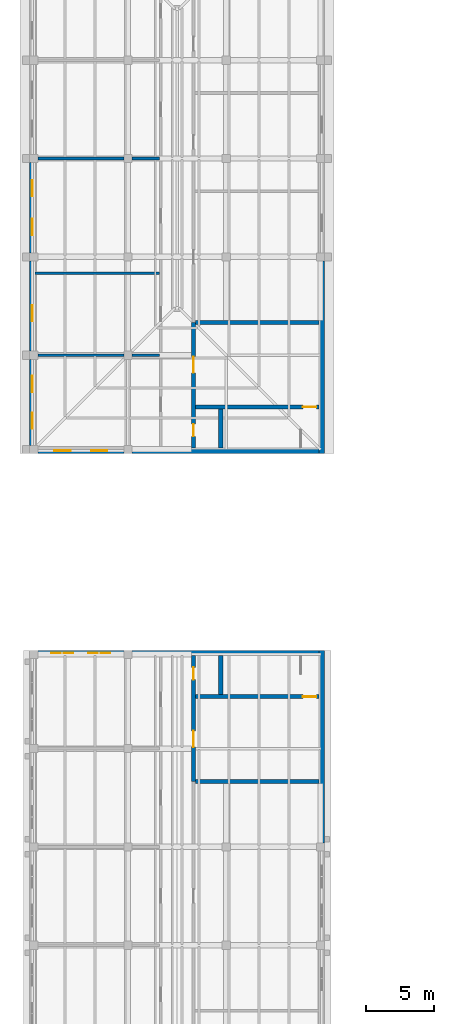
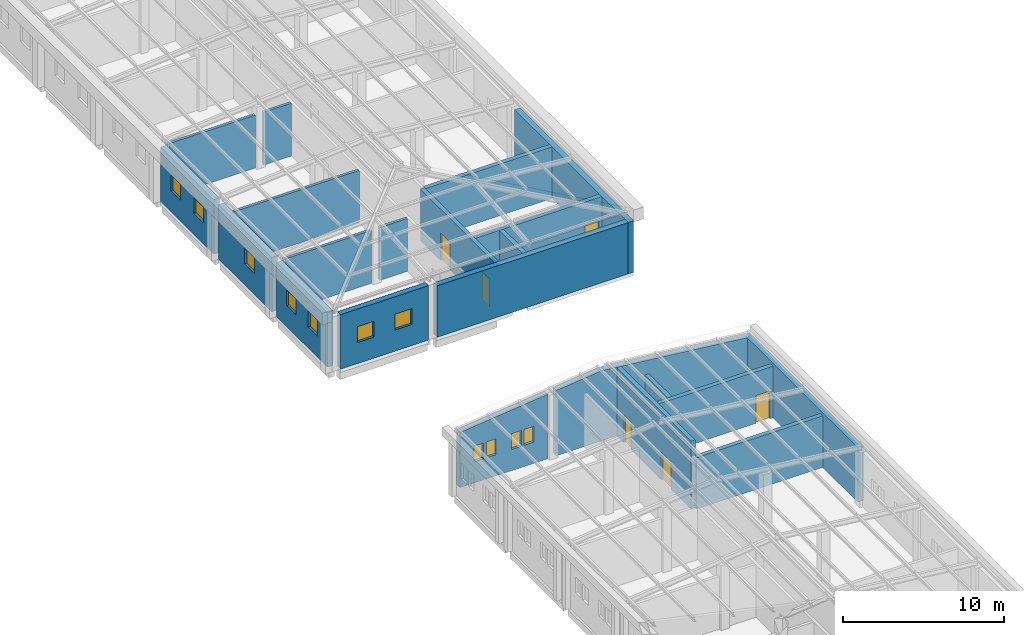
# One storey, part 32 of 48: 22 walls, 11 windows, 6 doors, 17 openings.
"""IFC4 building model written with IfcOpenShell, lengths in metres."""

from ifc_helpers import new_model, si_unit, direction, frame, frame_2d, origin, place, context, subcontext, project, spatial, polyline, rectangle, outline, extrude, material, layer, layer_set, type_object, element, fill, save


model = new_model("IFC4")

# Units and contexts
model_context = context("Model", 3, precision=1e-05, world=origin(), true_north=direction((0.0, 1.0)))
body_context = subcontext(model_context, "Body", "Model", "MODEL_VIEW")
ifc_project = project(units=[si_unit("LENGTHUNIT", "METRE"), si_unit("AREAUNIT", "SQUARE_METRE"), si_unit("VOLUMEUNIT", "CUBIC_METRE"), si_unit("PLANEANGLEUNIT", "RADIAN"), si_unit("MASSUNIT", "GRAM", prefix="KILO")], contexts=[model_context])

# Site, building, storey
site_placement = place(None, origin())
site = spatial("IfcSite", under=ifc_project, at=site_placement, CompositionType="ELEMENT")
building_placement = place(site_placement, origin())
building = spatial("IfcBuilding", under=site, at=building_placement, Name="Alderwick Market Hall", CompositionType="ELEMENT")
storey_placement = place(building_placement, frame((0.0, 0.0, 14.39990234375)))
storey = spatial("IfcBuildingStorey", under=building, at=storey_placement, Name="L02", CompositionType="ELEMENT", Elevation=14.39990234375)

# Wall, openings, windows
ifc_material_1 = material(Name="Face brick", Category="masonry")
ifc_layer_1 = layer(ifc_material_1, 0.39990234375)
ifc_layer_set_1 = layer_set([ifc_layer_1], Name="Face brick")
wall_type_1 = type_object("IfcWallType", Name="B Brick Cavity Wall 400", PredefinedType="SOLIDWALL", material=ifc_layer_set_1)
wall_1_placement = place(storey_placement, frame((22.199951171875, 86.60009765625, 0.0), z_axis=(0.0, 0.0, 1.0), x_axis=(1.0, 0.0, 0.0)))
wall_1 = element("IfcWall", 1, at=wall_1_placement, inside=storey, type_object=wall_type_1, Name="B.N.wall.L02.000", PredefinedType="SOLIDWALL", context=body_context, shape_type="SweptSolid", body=[
    extrude(rectangle(XDim=6.300048828125, YDim=0.39990234375, at=frame_2d((3.14990234375, 0.0))), origin(), (0.0, 0.0, 1.0), 4.12939453125),
])
opening_1_placement = place(wall_1_placement, frame((1.199951171875, 0.0, 1.60009765625)))
opening_1 = element("IfcOpeningElement", 2, at=opening_1_placement, cuts=wall_1, Name="Opening B-W048", PredefinedType="OPENING", context=body_context, shape_type="SweptSolid", body=[
    extrude(rectangle(XDim=1.199951171875, YDim=1.199951171875, at=frame_2d((0.60009765625, 0.60009765625))), frame((0.0, 0.2099609375, 0.0), z_axis=(0.0, -1.0, 0.0), x_axis=(1.0, 0.0, 0.0)), (0.0, 0.0, 1.0), 0.419921875),
])
opening_2_placement = place(wall_1_placement, frame((3.89990234375, 0.0, 1.60009765625)))
opening_2 = element("IfcOpeningElement", 3, at=opening_2_placement, cuts=wall_1, Name="Opening B-W049", PredefinedType="OPENING", context=body_context, shape_type="SweptSolid", body=[
    extrude(rectangle(XDim=1.199951171875, YDim=1.199951171875, at=frame_2d((0.60009765625, 0.60009765625))), frame((0.0, 0.2099609375, 0.0), z_axis=(0.0, -1.0, 0.0), x_axis=(1.0, 0.0, 0.0)), (0.0, 0.0, 1.0), 0.419921875),
])
ifc_material_2 = material(Name="Aluminium frame", Category="aluminium")
window_type_1 = type_object("IfcWindowType", Name="B Attic Window 1200x1200", PartitioningType="SINGLE_PANEL", PredefinedType="WINDOW", material=ifc_material_2)
window_1_placement = place(opening_1_placement, origin())
window_1 = element("IfcWindow", 4, at=window_1_placement, inside=storey, type_object=window_type_1, Name="Window B-W048", OverallHeight=1.199951171875, OverallWidth=1.199951171875, PartitioningType="SINGLE_PANEL", PredefinedType="WINDOW", context=body_context, shape_type="SweptSolid", body=[
    extrude(rectangle(XDim=1.199951171875, YDim=1.199951171875, at=frame_2d((0.60009765625, 0.60009765625))), frame((0.0, 0.030029296875, 0.0), z_axis=(0.0, -1.0, 0.0), x_axis=(1.0, 0.0, 0.0)), (0.0, 0.0, 1.0), 0.06005859375),
])
fill(opening_1, window_1)
window_2_placement = place(opening_2_placement, origin())
window_2 = element("IfcWindow", 5, at=window_2_placement, inside=storey, type_object=window_type_1, Name="Window B-W049", OverallHeight=1.199951171875, OverallWidth=1.199951171875, PartitioningType="SINGLE_PANEL", PredefinedType="WINDOW", context=body_context, shape_type="SweptSolid", body=[
    extrude(rectangle(XDim=1.199951171875, YDim=1.199951171875, at=frame_2d((0.60009765625, 0.60009765625))), frame((0.0, 0.030029296875, 0.0), z_axis=(0.0, -1.0, 0.0), x_axis=(1.0, 0.0, 0.0)), (0.0, 0.0, 1.0), 0.06005859375),
])
fill(opening_2, window_2)

wall_2_placement = place(storey_placement, frame((21.800048828125, 87.0, 0.0), z_axis=(0.0, 0.0, 1.0), x_axis=(0.0, 1.0, 0.0)))
wall_2 = element("IfcWall", 6, at=wall_2_placement, inside=storey, type_object=wall_type_1, Name="B.N.wall.L02.020", PredefinedType="SOLIDWALL", context=body_context, shape_type="SweptSolid", body=[
    extrude(rectangle(XDim=6.300048828125, YDim=0.39990234375, at=frame_2d((3.14990234375, 0.0))), origin(), (0.0, 0.0, 1.0), 4.12939453125),
])
opening_3_placement = place(wall_2_placement, frame((1.199951171875, 0.0, 1.60009765625)))
opening_3 = element("IfcOpeningElement", 7, at=opening_3_placement, cuts=wall_2, Name="Opening B-W052", PredefinedType="OPENING", context=body_context, shape_type="SweptSolid", body=[
    extrude(rectangle(XDim=1.199951171875, YDim=1.199951171875, at=frame_2d((0.60009765625, 0.60009765625))), frame((0.0, 0.2099609375, 0.0), z_axis=(0.0, -1.0, 0.0), x_axis=(1.0, 0.0, 0.0)), (0.0, 0.0, 1.0), 0.419921875),
])
opening_4_placement = place(wall_2_placement, frame((3.89990234375, 0.0, 1.60009765625)))
opening_4 = element("IfcOpeningElement", 8, at=opening_4_placement, cuts=wall_2, Name="Opening B-W053", PredefinedType="OPENING", context=body_context, shape_type="SweptSolid", body=[
    extrude(rectangle(XDim=1.199951171875, YDim=1.199951171875, at=frame_2d((0.60009765625, 0.60009765625))), frame((0.0, 0.2099609375, 0.0), z_axis=(0.0, -1.0, 0.0), x_axis=(1.0, 0.0, 0.0)), (0.0, 0.0, 1.0), 0.419921875),
])
window_3_placement = place(opening_3_placement, origin())
window_3 = element("IfcWindow", 9, at=window_3_placement, inside=storey, type_object=window_type_1, Name="Window B-W052", OverallHeight=1.199951171875, OverallWidth=1.199951171875, PartitioningType="SINGLE_PANEL", PredefinedType="WINDOW", context=body_context, shape_type="SweptSolid", body=[
    extrude(rectangle(XDim=1.199951171875, YDim=1.199951171875, at=frame_2d((0.60009765625, 0.60009765625))), frame((0.0, 0.030029296875, 0.0), z_axis=(0.0, -1.0, 0.0), x_axis=(1.0, 0.0, 0.0)), (0.0, 0.0, 1.0), 0.06005859375),
])
fill(opening_3, window_3)
window_4_placement = place(opening_4_placement, origin())
window_4 = element("IfcWindow", 10, at=window_4_placement, inside=storey, type_object=window_type_1, Name="Window B-W053", OverallHeight=1.199951171875, OverallWidth=1.199951171875, PartitioningType="SINGLE_PANEL", PredefinedType="WINDOW", context=body_context, shape_type="SweptSolid", body=[
    extrude(rectangle(XDim=1.199951171875, YDim=1.199951171875, at=frame_2d((0.60009765625, 0.60009765625))), frame((0.0, 0.030029296875, 0.0), z_axis=(0.0, -1.0, 0.0), x_axis=(1.0, 0.0, 0.0)), (0.0, 0.0, 1.0), 0.06005859375),
])
fill(opening_4, window_4)

# Wall, opening, window
wall_3_placement = place(storey_placement, frame((21.800048828125, 93.89990234375, 0.0), z_axis=(0.0, 0.0, 1.0), x_axis=(0.0, 1.0, 0.0)))
wall_3 = element("IfcWall", 11, at=wall_3_placement, inside=storey, type_object=wall_type_1, Name="B.N.wall.L02.021", PredefinedType="SOLIDWALL", context=body_context, shape_type="SweptSolid", body=[
    extrude(rectangle(XDim=6.60009765625, YDim=0.39990234375, at=frame_2d((3.300048828125, 0.0))), origin(), (0.0, 0.0, 1.0), 4.12939453125),
])
opening_5_placement = place(wall_3_placement, frame((2.175048828125, 0.0, 1.60009765625)))
opening_5 = element("IfcOpeningElement", 12, at=opening_5_placement, cuts=wall_3, Name="Opening B-W054", PredefinedType="OPENING", context=body_context, shape_type="SweptSolid", body=[
    extrude(rectangle(XDim=1.199951171875, YDim=1.199951171875, at=frame_2d((0.60009765625, 0.60009765625))), frame((0.0, 0.2099609375, 0.0), z_axis=(0.0, -1.0, 0.0), x_axis=(1.0, 0.0, 0.0)), (0.0, 0.0, 1.0), 0.419921875),
])
window_5_placement = place(opening_5_placement, origin())
window_5 = element("IfcWindow", 13, at=window_5_placement, inside=storey, type_object=window_type_1, Name="Window B-W054", OverallHeight=1.199951171875, OverallWidth=1.199951171875, PartitioningType="SINGLE_PANEL", PredefinedType="WINDOW", context=body_context, shape_type="SweptSolid", body=[
    extrude(rectangle(XDim=1.199951171875, YDim=1.199951171875, at=frame_2d((0.60009765625, 0.60009765625))), frame((0.0, 0.030029296875, 0.0), z_axis=(0.0, -1.0, 0.0), x_axis=(1.0, 0.0, 0.0)), (0.0, 0.0, 1.0), 0.06005859375),
])
fill(opening_5, window_5)

# Wall, openings, windows
wall_4_placement = place(storey_placement, frame((21.800048828125, 101.10009765625, 0.0), z_axis=(0.0, 0.0, 1.0), x_axis=(0.0, 1.0, 0.0)))
wall_4 = element("IfcWall", 14, at=wall_4_placement, inside=storey, type_object=wall_type_1, Name="B.N.wall.L02.022", PredefinedType="SOLIDWALL", context=body_context, shape_type="SweptSolid", body=[
    extrude(rectangle(XDim=6.599853515625, YDim=0.39990234375, at=frame_2d((3.2998046875, 0.0))), origin(), (0.0, 0.0, 1.0), 4.12939453125),
])
opening_6_placement = place(wall_4_placement, frame((1.27490234375, 0.0, 1.60009765625)))
opening_6 = element("IfcOpeningElement", 15, at=opening_6_placement, cuts=wall_4, Name="Opening B-W055", PredefinedType="OPENING", context=body_context, shape_type="SweptSolid", body=[
    extrude(rectangle(XDim=1.199951171875, YDim=1.199951171875, at=frame_2d((0.60009765625, 0.60009765625))), frame((0.0, 0.2099609375, 0.0), z_axis=(0.0, -1.0, 0.0), x_axis=(1.0, 0.0, 0.0)), (0.0, 0.0, 1.0), 0.419921875),
])
opening_7_placement = place(wall_4_placement, frame((4.125, 0.0, 1.60009765625)))
opening_7 = element("IfcOpeningElement", 16, at=opening_7_placement, cuts=wall_4, Name="Opening B-W056", PredefinedType="OPENING", context=body_context, shape_type="SweptSolid", body=[
    extrude(rectangle(XDim=1.199951171875, YDim=1.199951171875, at=frame_2d((0.60009765625, 0.60009765625))), frame((0.0, 0.2099609375, 0.0), z_axis=(0.0, -1.0, 0.0), x_axis=(1.0, 0.0, 0.0)), (0.0, 0.0, 1.0), 0.419921875),
])
window_6_placement = place(opening_6_placement, origin())
window_6 = element("IfcWindow", 17, at=window_6_placement, inside=storey, type_object=window_type_1, Name="Window B-W055", OverallHeight=1.199951171875, OverallWidth=1.199951171875, PartitioningType="SINGLE_PANEL", PredefinedType="WINDOW", context=body_context, shape_type="SweptSolid", body=[
    extrude(rectangle(XDim=1.199951171875, YDim=1.199951171875, at=frame_2d((0.60009765625, 0.60009765625))), frame((0.0, 0.030029296875, 0.0), z_axis=(0.0, -1.0, 0.0), x_axis=(1.0, 0.0, 0.0)), (0.0, 0.0, 1.0), 0.06005859375),
])
fill(opening_6, window_6)
window_7_placement = place(opening_7_placement, origin())
window_7 = element("IfcWindow", 18, at=window_7_placement, inside=storey, type_object=window_type_1, Name="Window B-W056", OverallHeight=1.199951171875, OverallWidth=1.199951171875, PartitioningType="SINGLE_PANEL", PredefinedType="WINDOW", context=body_context, shape_type="SweptSolid", body=[
    extrude(rectangle(XDim=1.199951171875, YDim=1.199951171875, at=frame_2d((0.60009765625, 0.60009765625))), frame((0.0, 0.030029296875, 0.0), z_axis=(0.0, -1.0, 0.0), x_axis=(1.0, 0.0, 0.0)), (0.0, 0.0, 1.0), 0.06005859375),
])
fill(opening_7, window_7)

wall_5_placement = place(storey_placement, frame((22.199951171875, 71.800048828125, 0.0), z_axis=(0.0, 0.0, 1.0), x_axis=(1.0, 0.0, 0.0)))
wall_5 = element("IfcWall", 19, at=wall_5_placement, inside=storey, type_object=wall_type_1, Name="B.S.wall.L02.018", PredefinedType="SOLIDWALL", context=body_context, shape_type="SweptSolid", body=[
    extrude(outline(polyline([(0.0, 0.0), (6.300048828125, 0.0), (6.300048828125, 4.877685546875), (0.0, 4.177490234375), (0.0, 0.0)])), frame((0.0, 0.199951171875, 0.0), z_axis=(0.0, -1.0, 0.0), x_axis=(1.0, 0.0, 0.0)), (0.0, 0.0, 1.0), 0.39990234375),
])
opening_8_placement = place(wall_5_placement, frame((1.0, 0.0, 1.60009765625)))
opening_8 = element("IfcOpeningElement", 20, at=opening_8_placement, cuts=wall_5, Name="Opening B-W152", PredefinedType="OPENING", context=body_context, shape_type="SweptSolid", body=[
    extrude(rectangle(XDim=0.699951171875, YDim=1.199951171875, at=frame_2d((0.35009765625, 0.60009765625))), frame((0.0, 0.2099609375, 0.0), z_axis=(0.0, -1.0, 0.0), x_axis=(1.0, 0.0, 0.0)), (0.0, 0.0, 1.0), 0.419921875),
])
opening_9_placement = place(wall_5_placement, frame((1.89990234375, 0.0, 1.60009765625)))
opening_9 = element("IfcOpeningElement", 21, at=opening_9_placement, cuts=wall_5, Name="Opening B-W153", PredefinedType="OPENING", context=body_context, shape_type="SweptSolid", body=[
    extrude(rectangle(XDim=0.699951171875, YDim=1.199951171875, at=frame_2d((0.35009765625, 0.60009765625))), frame((0.0, 0.2099609375, 0.0), z_axis=(0.0, -1.0, 0.0), x_axis=(1.0, 0.0, 0.0)), (0.0, 0.0, 1.0), 0.419921875),
])
opening_10_placement = place(wall_5_placement, frame((3.699951171875, 0.0, 1.60009765625)))
opening_10 = element("IfcOpeningElement", 22, at=opening_10_placement, cuts=wall_5, Name="Opening B-W154", PredefinedType="OPENING", context=body_context, shape_type="SweptSolid", body=[
    extrude(rectangle(XDim=0.699951171875, YDim=1.199951171875, at=frame_2d((0.35009765625, 0.60009765625))), frame((0.0, 0.2099609375, 0.0), z_axis=(0.0, -1.0, 0.0), x_axis=(1.0, 0.0, 0.0)), (0.0, 0.0, 1.0), 0.419921875),
])
opening_11_placement = place(wall_5_placement, frame((4.60009765625, 0.0, 1.60009765625)))
opening_11 = element("IfcOpeningElement", 23, at=opening_11_placement, cuts=wall_5, Name="Opening B-W155", PredefinedType="OPENING", context=body_context, shape_type="SweptSolid", body=[
    extrude(rectangle(XDim=0.699951171875, YDim=1.199951171875, at=frame_2d((0.35009765625, 0.60009765625))), frame((0.0, 0.2099609375, 0.0), z_axis=(0.0, -1.0, 0.0), x_axis=(1.0, 0.0, 0.0)), (0.0, 0.0, 1.0), 0.419921875),
])
window_type_2 = type_object("IfcWindowType", Name="B Attic Window 700x1200", PartitioningType="SINGLE_PANEL", PredefinedType="WINDOW", material=ifc_material_2)
window_8_placement = place(opening_8_placement, origin())
window_8 = element("IfcWindow", 24, at=window_8_placement, inside=storey, type_object=window_type_2, Name="Window B-W152", OverallHeight=1.199951171875, OverallWidth=0.699951171875, PartitioningType="SINGLE_PANEL", PredefinedType="WINDOW", context=body_context, shape_type="SweptSolid", body=[
    extrude(rectangle(XDim=0.699951171875, YDim=1.199951171875, at=frame_2d((0.35009765625, 0.60009765625))), frame((0.0, 0.030029296875, 0.0), z_axis=(0.0, -1.0, 0.0), x_axis=(1.0, 0.0, 0.0)), (0.0, 0.0, 1.0), 0.06005859375),
])
fill(opening_8, window_8)
window_9_placement = place(opening_9_placement, origin())
window_9 = element("IfcWindow", 25, at=window_9_placement, inside=storey, type_object=window_type_2, Name="Window B-W153", OverallHeight=1.199951171875, OverallWidth=0.699951171875, PartitioningType="SINGLE_PANEL", PredefinedType="WINDOW", context=body_context, shape_type="SweptSolid", body=[
    extrude(rectangle(XDim=0.699951171875, YDim=1.199951171875, at=frame_2d((0.35009765625, 0.60009765625))), frame((0.0, 0.030029296875, 0.0), z_axis=(0.0, -1.0, 0.0), x_axis=(1.0, 0.0, 0.0)), (0.0, 0.0, 1.0), 0.06005859375),
])
fill(opening_9, window_9)
window_10_placement = place(opening_10_placement, origin())
window_10 = element("IfcWindow", 26, at=window_10_placement, inside=storey, type_object=window_type_2, Name="Window B-W154", OverallHeight=1.199951171875, OverallWidth=0.699951171875, PartitioningType="SINGLE_PANEL", PredefinedType="WINDOW", context=body_context, shape_type="SweptSolid", body=[
    extrude(rectangle(XDim=0.699951171875, YDim=1.199951171875, at=frame_2d((0.35009765625, 0.60009765625))), frame((0.0, 0.030029296875, 0.0), z_axis=(0.0, -1.0, 0.0), x_axis=(1.0, 0.0, 0.0)), (0.0, 0.0, 1.0), 0.06005859375),
])
fill(opening_10, window_10)
window_11_placement = place(opening_11_placement, origin())
window_11 = element("IfcWindow", 27, at=window_11_placement, inside=storey, type_object=window_type_2, Name="Window B-W155", OverallHeight=1.199951171875, OverallWidth=0.699951171875, PartitioningType="SINGLE_PANEL", PredefinedType="WINDOW", context=body_context, shape_type="SweptSolid", body=[
    extrude(rectangle(XDim=0.699951171875, YDim=1.199951171875, at=frame_2d((0.35009765625, 0.60009765625))), frame((0.0, 0.030029296875, 0.0), z_axis=(0.0, -1.0, 0.0), x_axis=(1.0, 0.0, 0.0)), (0.0, 0.0, 1.0), 0.06005859375),
])
fill(opening_11, window_11)

# Walls
ifc_material_3 = material(Name="Concrete masonry 3000 psi", Category="masonry")
ifc_layer_2 = layer(ifc_material_3, 0.199951171875)
ifc_layer_set_2 = layer_set([ifc_layer_2], Name="Concrete masonry 3000 psi")
wall_type_2 = type_object("IfcWallType", Name="B Masonry Partition 200", PredefinedType="PARTITIONING", material=ifc_layer_set_2)
wall_6_placement = place(storey_placement, frame((22.199951171875, 93.60009765625, 0.0), z_axis=(0.0, 0.0, 1.0), x_axis=(1.0, 0.0, 0.0)))
element("IfcWall", 28, at=wall_6_placement, inside=storey, type_object=wall_type_2, Name="B.N.wall.L02.003", PredefinedType="PARTITIONING", context=body_context, shape_type="SweptSolid", body=[
    extrude(rectangle(XDim=6.300048828125, YDim=0.199951171875, at=frame_2d((3.14990234375, 0.0))), origin(), (0.0, 0.0, 1.0), 4.0),
])
wall_7_placement = place(storey_placement, frame((29.10009765625, 93.60009765625, 0.0), z_axis=(0.0, 0.0, 1.0), x_axis=(1.0, 0.0, 0.0)))
element("IfcWall", 29, at=wall_7_placement, inside=storey, type_object=wall_type_2, Name="B.N.wall.L02.004", PredefinedType="PARTITIONING", context=body_context, shape_type="SweptSolid", body=[
    extrude(rectangle(XDim=2.0, YDim=0.199951171875, at=frame_2d((1.0, 0.0))), origin(), (0.0, 0.0, 1.0), 4.0),
])
wall_8_placement = place(storey_placement, frame((22.0, 99.60009765625, 0.0), z_axis=(0.0, 0.0, 1.0), x_axis=(1.0, 0.0, 0.0)))
element("IfcWall", 30, at=wall_8_placement, inside=storey, type_object=wall_type_2, Name="B.N.wall.L02.006", PredefinedType="PARTITIONING", context=body_context, shape_type="SweptSolid", body=[
    extrude(rectangle(XDim=9.10009765625, YDim=0.199951171875, at=frame_2d((4.550048828125, 0.0))), origin(), (0.0, 0.0, 1.0), 4.0),
])
wall_9_placement = place(storey_placement, frame((22.199951171875, 108.0, 0.0), z_axis=(0.0, 0.0, 1.0), x_axis=(1.0, 0.0, 0.0)))
element("IfcWall", 31, at=wall_9_placement, inside=storey, type_object=wall_type_2, Name="B.N.wall.L02.008", PredefinedType="PARTITIONING", context=body_context, shape_type="SweptSolid", body=[
    extrude(rectangle(XDim=6.300048828125, YDim=0.199951171875, at=frame_2d((3.14990234375, 0.0))), origin(), (0.0, 0.0, 1.0), 4.0),
])
wall_10_placement = place(storey_placement, frame((29.10009765625, 108.0, 0.0), z_axis=(0.0, 0.0, 1.0), x_axis=(1.0, 0.0, 0.0)))
element("IfcWall", 32, at=wall_10_placement, inside=storey, type_object=wall_type_2, Name="B.N.wall.L02.009", PredefinedType="PARTITIONING", context=body_context, shape_type="SweptSolid", body=[
    extrude(rectangle(XDim=2.0, YDim=0.199951171875, at=frame_2d((1.0, 0.0))), origin(), (0.0, 0.0, 1.0), 4.0),
])
ifc_material_4 = material(Name="Concrete 5000 psi (f'c 35 MPa)", Category="concrete")
ifc_layer_3 = layer(ifc_material_4, 0.39990234375)
ifc_layer_set_3 = layer_set([ifc_layer_3], Name="Concrete 5000 psi (f'c 35 MPa)")
wall_type_3 = type_object("IfcWallType", Name="B RC Core Facade Wall 400", PredefinedType="SHEAR", material=ifc_layer_set_3)
wall_11_placement = place(storey_placement, frame((29.10009765625, 86.60009765625, 0.0), z_axis=(0.0, 0.0, 1.0), x_axis=(1.0, 0.0, 0.0)))
element("IfcWall", 33, at=wall_11_placement, inside=storey, type_object=wall_type_3, Name="B.N.wall.L02.001", PredefinedType="SHEAR", context=body_context, shape_type="SweptSolid", body=[
    extrude(rectangle(XDim=13.699951171875, YDim=0.39990234375, at=frame_2d((6.85009765625, 0.0))), origin(), (0.0, 0.0, 1.0), 3.900146484375),
])
wall_12_placement = place(storey_placement, frame((43.0, 86.39990234375, 0.0), z_axis=(0.0, 0.0, 1.0), x_axis=(0.0, 1.0, 0.0)))
element("IfcWall", 34, at=wall_12_placement, inside=storey, type_object=wall_type_3, Name="B.N.wall.L02.033", PredefinedType="SHEAR", context=body_context, shape_type="SweptSolid", body=[
    extrude(rectangle(XDim=14.10009765625, YDim=0.39990234375, at=frame_2d((7.050048828125, 0.0))), origin(), (0.0, 0.0, 1.0), 3.900146484375),
])
wall_13_placement = place(storey_placement, frame((29.10009765625, 71.800048828125, 0.0), z_axis=(0.0, 0.0, 1.0), x_axis=(1.0, 0.0, 0.0)))
element("IfcWall", 35, at=wall_13_placement, inside=storey, type_object=wall_type_3, Name="B.S.wall.L02.019", PredefinedType="SHEAR", context=body_context, shape_type="SweptSolid", body=[
    extrude(outline(polyline([(0.0, 0.0), (13.699951171875, 0.0), (13.699951171875, 4.1552734375), (3.300048828125, 5.310791015625), (0.0, 4.944091796875), (0.0, 0.0)])), frame((0.0, 0.199951171875, 0.0), z_axis=(0.0, -1.0, 0.0), x_axis=(1.0, 0.0, 0.0)), (0.0, 0.0, 1.0), 0.39990234375),
])
wall_14_placement = place(storey_placement, frame((43.0, 57.89990234375, 0.0), z_axis=(0.0, 0.0, 1.0), x_axis=(0.0, 1.0, 0.0)))
element("IfcWall", 36, at=wall_14_placement, inside=storey, type_object=wall_type_3, Name="B.S.wall.L02.036", PredefinedType="SHEAR", context=body_context, shape_type="SweptSolid", body=[
    extrude(rectangle(XDim=14.10009765625, YDim=0.39990234375, at=frame_2d((7.050048828125, 0.0))), origin(), (0.0, 0.0, 1.0), 4.133056640625),
])

# Wall, opening, door
ifc_layer_4 = layer(ifc_material_4, 0.300048828125)
ifc_layer_set_4 = layer_set([ifc_layer_4], Name="Concrete 5000 psi (f'c 35 MPa)")
wall_type_4 = type_object("IfcWallType", Name="B RC Core Wall 300", PredefinedType="SHEAR", material=ifc_layer_set_4)
wall_15_placement = place(storey_placement, frame((33.75, 89.800048828125, 0.0), z_axis=(0.0, 0.0, 1.0), x_axis=(1.0, 0.0, 0.0)))
wall_15 = element("IfcWall", 37, at=wall_15_placement, inside=storey, type_object=wall_type_4, Name="B.N.wall.L02.002", PredefinedType="SHEAR", context=body_context, shape_type="SweptSolid", body=[
    extrude(rectangle(XDim=9.050048828125, YDim=0.300048828125, at=frame_2d((4.52490234375, 0.0))), origin(), (0.0, 0.0, 1.0), 3.900146484375),
])
opening_12_placement = place(wall_15_placement, frame((7.85009765625, 0.0, 0.0)))
opening_12 = element("IfcOpeningElement", 38, at=opening_12_placement, cuts=wall_15, Name="Opening B-D079", PredefinedType="OPENING", context=body_context, shape_type="SweptSolid", body=[
    extrude(rectangle(XDim=1.0, YDim=2.10009765625, at=frame_2d((0.5, 1.050048828125))), frame((0.0, 0.159912109375, 0.0), z_axis=(0.0, -1.0, 0.0), x_axis=(1.0, 0.0, 0.0)), (0.0, 0.0, 1.0), 0.320068359375),
])
ifc_material_5 = material(Name="Hollow metal fire door and frame")
door_type_1 = type_object("IfcDoorType", Name="B Fire Door 1000x2100", OperationType="SINGLE_SWING_LEFT", PredefinedType="DOOR", material=ifc_material_5)
door_1_placement = place(opening_12_placement, origin())
door_1 = element("IfcDoor", 39, at=door_1_placement, inside=storey, type_object=door_type_1, Name="Stair N-2 lobby door", OperationType="SINGLE_SWING_LEFT", OverallHeight=2.10009765625, OverallWidth=1.0, PredefinedType="DOOR", context=body_context, shape_type="SweptSolid", body=[
    extrude(rectangle(XDim=1.0, YDim=2.10009765625, at=frame_2d((0.5, 1.050048828125))), frame((0.0, 0.02490234375, 0.0), z_axis=(0.0, -1.0, 0.0), x_axis=(1.0, 0.0, 0.0)), (0.0, 0.0, 1.0), 0.050048828125),
])
fill(opening_12, door_1)

# Wall
wall_16_placement = place(storey_placement, frame((33.75, 96.0, 0.0), z_axis=(0.0, 0.0, 1.0), x_axis=(1.0, 0.0, 0.0)))
element("IfcWall", 40, at=wall_16_placement, inside=storey, type_object=wall_type_4, Name="B.N.wall.L02.005", PredefinedType="SHEAR", context=body_context, shape_type="SweptSolid", body=[
    extrude(rectangle(XDim=9.050048828125, YDim=0.300048828125, at=frame_2d((4.52490234375, 0.0))), origin(), (0.0, 0.0, 1.0), 3.900146484375),
])

# Wall, openings, doors
wall_17_placement = place(storey_placement, frame((33.60009765625, 86.800048828125, 0.0), z_axis=(0.0, 0.0, 1.0), x_axis=(0.0, 1.0, 0.0)))
wall_17 = element("IfcWall", 41, at=wall_17_placement, inside=storey, type_object=wall_type_4, Name="B.N.wall.L02.027", PredefinedType="SHEAR", context=body_context, shape_type="SweptSolid", body=[
    extrude(rectangle(XDim=9.199951171875, YDim=0.300048828125, at=frame_2d((4.60009765625, 0.0))), origin(), (0.0, 0.0, 1.0), 3.900146484375),
])
opening_13_placement = place(wall_17_placement, frame((5.5, 0.0, 0.0)))
opening_13 = element("IfcOpeningElement", 42, at=opening_13_placement, cuts=wall_17, Name="Opening B-D080", PredefinedType="OPENING", context=body_context, shape_type="SweptSolid", body=[
    extrude(rectangle(XDim=1.199951171875, YDim=2.10009765625, at=frame_2d((0.60009765625, 1.050048828125))), frame((0.0, 0.159912109375, 0.0), z_axis=(0.0, -1.0, 0.0), x_axis=(1.0, 0.0, 0.0)), (0.0, 0.0, 1.0), 0.320068359375),
])
opening_14_placement = place(wall_17_placement, frame((0.85009765625, 0.0, 0.0)))
opening_14 = element("IfcOpeningElement", 43, at=opening_14_placement, cuts=wall_17, Name="Opening B-D081", PredefinedType="OPENING", context=body_context, shape_type="SweptSolid", body=[
    extrude(rectangle(XDim=0.89990234375, YDim=2.10009765625, at=frame_2d((0.449951171875, 1.050048828125))), frame((0.0, 0.159912109375, 0.0), z_axis=(0.0, -1.0, 0.0), x_axis=(1.0, 0.0, 0.0)), (0.0, 0.0, 1.0), 0.320068359375),
])
door_type_2 = type_object("IfcDoorType", Name="B Fire Door 1200x2100", OperationType="SINGLE_SWING_LEFT", PredefinedType="DOOR", material=ifc_material_5)
door_2_placement = place(opening_13_placement, origin())
door_2 = element("IfcDoor", 44, at=door_2_placement, inside=storey, type_object=door_type_2, Name="Lobby N-2 corridor door", OperationType="SINGLE_SWING_RIGHT", OverallHeight=2.10009765625, OverallWidth=1.199951171875, PredefinedType="DOOR", context=body_context, shape_type="SweptSolid", body=[
    extrude(rectangle(XDim=1.199951171875, YDim=2.10009765625, at=frame_2d((0.60009765625, 1.050048828125))), frame((0.0, 0.02490234375, 0.0), z_axis=(0.0, -1.0, 0.0), x_axis=(1.0, 0.0, 0.0)), (0.0, 0.0, 1.0), 0.050048828125),
])
fill(opening_13, door_2)
door_type_3 = type_object("IfcDoorType", Name="B Fire Door 900x2100", OperationType="SINGLE_SWING_LEFT", PredefinedType="DOOR", material=ifc_material_5)
door_3_placement = place(opening_14_placement, origin())
door_3 = element("IfcDoor", 45, at=door_3_placement, inside=storey, type_object=door_type_3, Name="Riser N-2 access door", OperationType="SINGLE_SWING_LEFT", OverallHeight=2.10009765625, OverallWidth=0.89990234375, PredefinedType="DOOR", context=body_context, shape_type="SweptSolid", body=[
    extrude(rectangle(XDim=0.89990234375, YDim=2.10009765625, at=frame_2d((0.449951171875, 1.050048828125))), frame((0.0, 0.02490234375, 0.0), z_axis=(0.0, -1.0, 0.0), x_axis=(1.0, 0.0, 0.0)), (0.0, 0.0, 1.0), 0.050048828125),
])
fill(opening_14, door_3)

# Walls
wall_18_placement = place(storey_placement, frame((35.60009765625, 86.800048828125, 0.0), z_axis=(0.0, 0.0, 1.0), x_axis=(0.0, 1.0, 0.0)))
element("IfcWall", 46, at=wall_18_placement, inside=storey, type_object=wall_type_4, Name="B.N.wall.L02.030", PredefinedType="SHEAR", context=body_context, shape_type="SweptSolid", body=[
    extrude(rectangle(XDim=2.849853515625, YDim=0.300048828125, at=frame_2d((1.4248046875, 0.0))), origin(), (0.0, 0.0, 1.0), 3.900146484375),
])
wall_19_placement = place(storey_placement, frame((33.75, 62.39990234375, 0.0), z_axis=(0.0, 0.0, 1.0), x_axis=(1.0, 0.0, 0.0)))
element("IfcWall", 47, at=wall_19_placement, inside=storey, type_object=wall_type_4, Name="B.S.wall.L02.014", PredefinedType="SHEAR", context=body_context, shape_type="SweptSolid", body=[
    extrude(rectangle(XDim=9.050048828125, YDim=0.300048828125, at=frame_2d((4.52490234375, 0.0))), origin(), (0.0, 0.0, 1.0), 3.900146484375),
])

# Wall, opening, door
wall_20_placement = place(storey_placement, frame((33.75, 68.60009765625, 0.0), z_axis=(0.0, 0.0, 1.0), x_axis=(1.0, 0.0, 0.0)))
wall_20 = element("IfcWall", 48, at=wall_20_placement, inside=storey, type_object=wall_type_4, Name="B.S.wall.L02.017", PredefinedType="SHEAR", context=body_context, shape_type="SweptSolid", body=[
    extrude(rectangle(XDim=9.050048828125, YDim=0.300048828125, at=frame_2d((4.52490234375, 0.0))), origin(), (0.0, 0.0, 1.0), 3.900146484375),
])
opening_15_placement = place(wall_20_placement, frame((7.85009765625, 0.0, 0.0)))
opening_15 = element("IfcOpeningElement", 49, at=opening_15_placement, cuts=wall_20, Name="Opening B-D141", PredefinedType="OPENING", context=body_context, shape_type="SweptSolid", body=[
    extrude(rectangle(XDim=1.0, YDim=2.10009765625, at=frame_2d((0.5, 1.050048828125))), frame((0.0, 0.159912109375, 0.0), z_axis=(0.0, -1.0, 0.0), x_axis=(1.0, 0.0, 0.0)), (0.0, 0.0, 1.0), 0.320068359375),
])
door_4_placement = place(opening_15_placement, origin())
door_4 = element("IfcDoor", 50, at=door_4_placement, inside=storey, type_object=door_type_1, Name="Stair S-2 lobby door", OperationType="SINGLE_SWING_LEFT", OverallHeight=2.10009765625, OverallWidth=1.0, PredefinedType="DOOR", context=body_context, shape_type="SweptSolid", body=[
    extrude(rectangle(XDim=1.0, YDim=2.10009765625, at=frame_2d((0.5, 1.050048828125))), frame((0.0, 0.02490234375, 0.0), z_axis=(0.0, -1.0, 0.0), x_axis=(1.0, 0.0, 0.0)), (0.0, 0.0, 1.0), 0.050048828125),
])
fill(opening_15, door_4)

# Wall, openings, doors
wall_21_placement = place(storey_placement, frame((33.60009765625, 62.39990234375, 0.0), z_axis=(0.0, 0.0, 1.0), x_axis=(0.0, 1.0, 0.0)))
wall_21 = element("IfcWall", 51, at=wall_21_placement, inside=storey, type_object=wall_type_4, Name="B.S.wall.L02.029", PredefinedType="SHEAR", context=body_context, shape_type="SweptSolid", body=[
    extrude(rectangle(XDim=9.2001953125, YDim=0.300048828125, at=frame_2d((4.60009765625, 0.0))), origin(), (0.0, 0.0, 1.0), 5.160888671875),
])
opening_16_placement = place(wall_21_placement, frame((2.5, 0.0, 0.0)))
opening_16 = element("IfcOpeningElement", 52, at=opening_16_placement, cuts=wall_21, Name="Opening B-D142", PredefinedType="OPENING", context=body_context, shape_type="SweptSolid", body=[
    extrude(rectangle(XDim=1.199951171875, YDim=2.10009765625, at=frame_2d((0.60009765625, 1.050048828125))), frame((0.0, 0.159912109375, 0.0), z_axis=(0.0, -1.0, 0.0), x_axis=(1.0, 0.0, 0.0)), (0.0, 0.0, 1.0), 0.320068359375),
])
opening_17_placement = place(wall_21_placement, frame((7.449951171875, 0.0, 0.0)))
opening_17 = element("IfcOpeningElement", 53, at=opening_17_placement, cuts=wall_21, Name="Opening B-D143", PredefinedType="OPENING", context=body_context, shape_type="SweptSolid", body=[
    extrude(rectangle(XDim=0.89990234375, YDim=2.10009765625, at=frame_2d((0.449951171875, 1.050048828125))), frame((0.0, 0.159912109375, 0.0), z_axis=(0.0, -1.0, 0.0), x_axis=(1.0, 0.0, 0.0)), (0.0, 0.0, 1.0), 0.320068359375),
])
door_5_placement = place(opening_16_placement, origin())
door_5 = element("IfcDoor", 54, at=door_5_placement, inside=storey, type_object=door_type_2, Name="Lobby S-2 corridor door", OperationType="SINGLE_SWING_RIGHT", OverallHeight=2.10009765625, OverallWidth=1.199951171875, PredefinedType="DOOR", context=body_context, shape_type="SweptSolid", body=[
    extrude(rectangle(XDim=1.199951171875, YDim=2.10009765625, at=frame_2d((0.60009765625, 1.050048828125))), frame((0.0, 0.02490234375, 0.0), z_axis=(0.0, -1.0, 0.0), x_axis=(1.0, 0.0, 0.0)), (0.0, 0.0, 1.0), 0.050048828125),
])
fill(opening_16, door_5)
door_6_placement = place(opening_17_placement, origin())
door_6 = element("IfcDoor", 55, at=door_6_placement, inside=storey, type_object=door_type_3, Name="Riser S-2 access door", OperationType="SINGLE_SWING_LEFT", OverallHeight=2.10009765625, OverallWidth=0.89990234375, PredefinedType="DOOR", context=body_context, shape_type="SweptSolid", body=[
    extrude(rectangle(XDim=0.89990234375, YDim=2.10009765625, at=frame_2d((0.449951171875, 1.050048828125))), frame((0.0, 0.02490234375, 0.0), z_axis=(0.0, -1.0, 0.0), x_axis=(1.0, 0.0, 0.0)), (0.0, 0.0, 1.0), 0.050048828125),
])
fill(opening_17, door_6)

# Wall
wall_22_placement = place(storey_placement, frame((35.60009765625, 68.75, 0.0), z_axis=(0.0, 0.0, 1.0), x_axis=(0.0, 1.0, 0.0)))
element("IfcWall", 56, at=wall_22_placement, inside=storey, type_object=wall_type_4, Name="B.S.wall.L02.031", PredefinedType="SHEAR", context=body_context, shape_type="SweptSolid", body=[
    extrude(rectangle(XDim=2.85009765625, YDim=0.300048828125, at=frame_2d((1.425048828125, 0.0))), origin(), (0.0, 0.0, 1.0), 3.900146484375),
])

save(model, "model.ifc")
